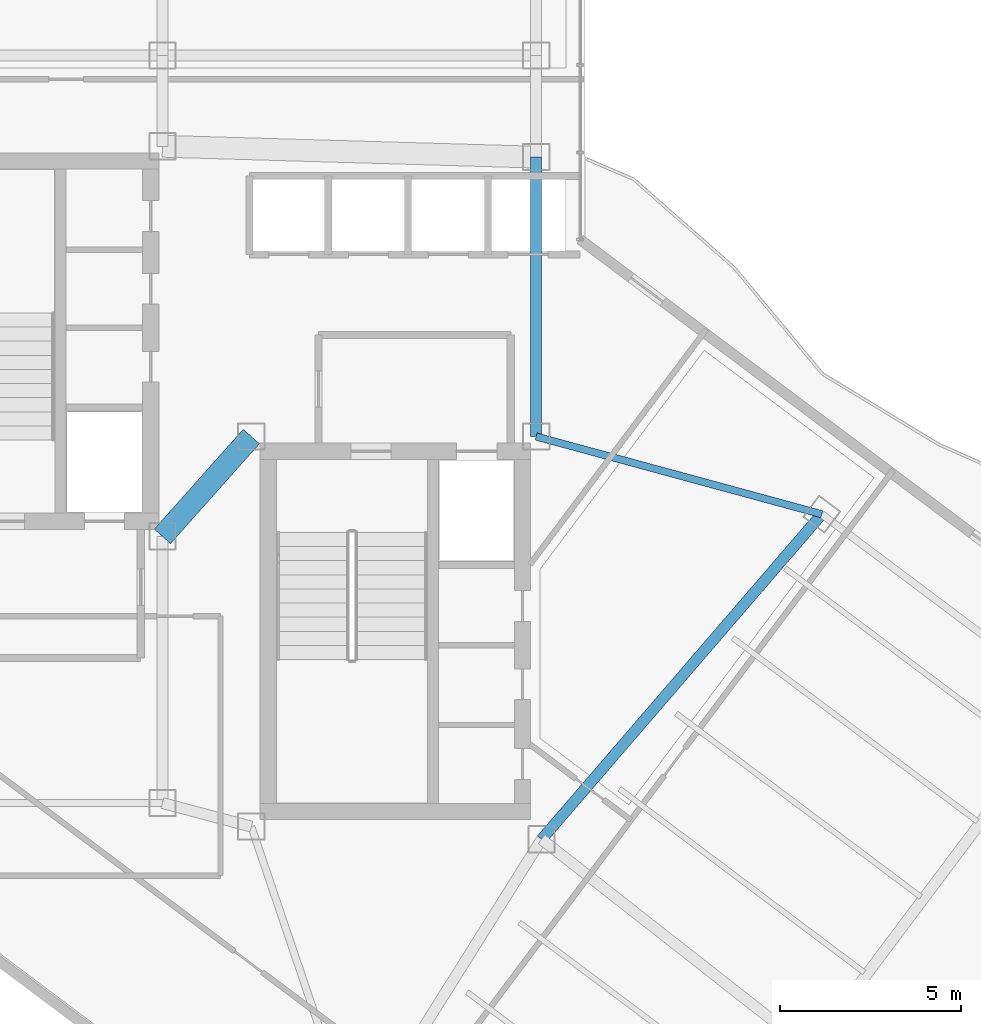
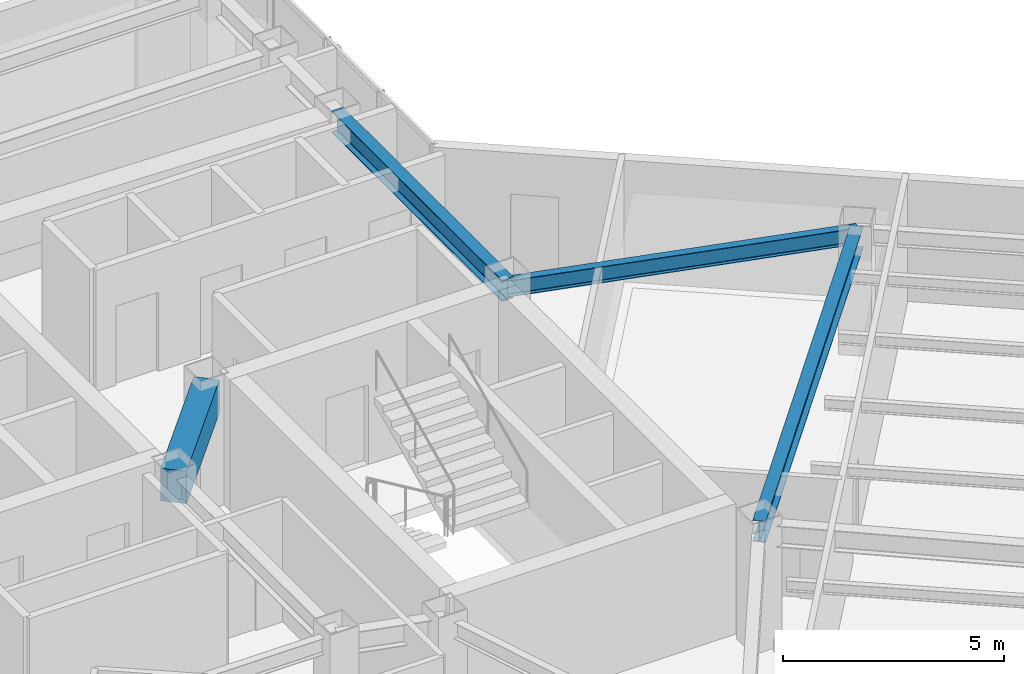
# One storey, part 9 of 25: 4 beams.
"""IFC4 building model written with IfcOpenShell, lengths in metres."""

from ifc_helpers import new_model, si_unit, direction, frame, origin, origin_2d, place, context, subcontext, project, spatial, rectangle, i_section, extrude, material, material_profile, profile_set, type_object, element, save


model = new_model("IFC4")

# Units and contexts
model_context = context("Model", 3, precision=1e-05, world=origin(), true_north=direction((0.0, 1.0)))
body_context = subcontext(model_context, "Body", "Model", "MODEL_VIEW")
ifc_project = project(units=[si_unit("LENGTHUNIT", "METRE"), si_unit("AREAUNIT", "SQUARE_METRE"), si_unit("VOLUMEUNIT", "CUBIC_METRE"), si_unit("PLANEANGLEUNIT", "RADIAN"), si_unit("MASSUNIT", "GRAM", prefix="KILO")], contexts=[model_context])

# Site, building, storey
site_placement = place(None, origin())
site = spatial("IfcSite", under=ifc_project, at=site_placement, CompositionType="ELEMENT")
building_placement = place(site_placement, origin())
building = spatial("IfcBuilding", under=site, at=building_placement, Name="Hatsunagi Terrace Concourse", CompositionType="ELEMENT")
storey_placement = place(building_placement, frame((0.0, 0.0, 205.949951171875)))
storey = spatial("IfcBuildingStorey", under=building, at=storey_placement, Name="L54", CompositionType="ELEMENT", Elevation=205.949951171875)

# Beams
ifc_material_1 = material(Name="Concrete Fc42", Category="concrete")
ifc_material_profile_1 = material_profile(ifc_material_1, rectangle(XDim=0.60009765625, YDim=0.89990234375, at=origin_2d()), Name="RC-600x900")
ifc_profile_set_1 = profile_set([ifc_material_profile_1], Name="Concrete Fc42")
beam_type_1 = type_object("IfcBeamType", Name="CoreCouplingBeam_RC_600x900", PredefinedType="BEAM", material=ifc_profile_set_1)
beam_1_placement = place(storey_placement, frame((33.35009765625, 32.550048828125, 2.900146484375), z_axis=(0.665198651008, 0.746666427997, 0.0), x_axis=(-0.746666427997, 0.665198651008, 0.0)))
element("IfcBeam", 1, at=beam_1_placement, inside=storey, type_object=beam_type_1, Name="Beam CB-03 CB-L54-1", PredefinedType="BEAM", context=body_context, shape_type="SweptSolid", body=[
    extrude(rectangle(XDim=0.60009765625, YDim=0.89990234375, at=origin_2d()), origin(), (0.0, 0.0, 1.0), 3.68310546875),
])
ifc_material_2 = material(Name="Steel SN490B", Category="steel")
ifc_material_profile_2 = material_profile(ifc_material_2, i_section(OverallWidth=0.300048828125, OverallDepth=0.587890625, WebThickness=0.011962890625, FlangeThickness=0.02001953125, FilletRadius=0.01806640625, at=origin_2d()), Name="H-588x300x12x20")
ifc_profile_set_2 = profile_set([ifc_material_profile_2], Name="Steel SN490B")
beam_type_2 = type_object("IfcBeamType", Name="OfficeHighGirder_H_588x300", PredefinedType="BEAM", material=ifc_profile_set_2)
beam_2_placement = place(storey_placement, frame((43.64990234375, 35.300048828125, 3.05615234375), z_axis=(0.0, 1.0, 0.0), x_axis=(-1.0, 0.0, 0.0)))
element("IfcBeam", 2, at=beam_2_placement, inside=storey, type_object=beam_type_2, Name="Beam G-06 BM-L54-CBK3", PredefinedType="BEAM", context=body_context, shape_type="SweptSolid", body=[
    extrude(i_section(OverallWidth=0.300048828125, OverallDepth=0.587890625, WebThickness=0.011962890625, FlangeThickness=0.02001953125, FilletRadius=0.01806640625, at=origin_2d()), origin(), (0.0, 0.0, 1.0), 7.699951171875),
])
beam_3_placement = place(storey_placement, frame((43.800048828125, 24.199951171875, 3.05615234375), z_axis=(0.652739101421, 0.757582777969, 0.0), x_axis=(-0.757582777969, 0.652739101421, 0.0)))
element("IfcBeam", 3, at=beam_3_placement, inside=storey, type_object=beam_type_2, Name="Beam G-06 BM-L54-SET-1B", PredefinedType="BEAM", context=body_context, shape_type="SweptSolid", body=[
    extrude(i_section(OverallWidth=0.300048828125, OverallDepth=0.587890625, WebThickness=0.011962890625, FlangeThickness=0.02001953125, FilletRadius=0.01806640625, at=origin_2d()), origin(), (0.0, 0.0, 1.0), 11.8271484375),
])
ifc_material_3 = material(Name="Steel SN490B", Category="steel")
ifc_material_profile_3 = material_profile(ifc_material_3, i_section(OverallWidth=0.199951171875, OverallDepth=0.449951171875, WebThickness=0.009033203125, FlangeThickness=0.013916015625, FilletRadius=0.01611328125, at=origin_2d()), Name="H-450x200x9x14")
ifc_profile_set_3 = profile_set([ifc_material_profile_3], Name="Steel SN490B")
beam_type_3 = type_object("IfcBeamType", Name="PerimeterSpandrel_H_450x200", PredefinedType="SPANDREL", material=ifc_profile_set_3)
beam_4_placement = place(storey_placement, frame((43.64990234375, 35.300048828125, 3.125), z_axis=(0.964958359286, -0.262403057994, 0.0), x_axis=(0.262403057994, 0.964958359286, 0.0)))
element("IfcBeam", 4, at=beam_4_placement, inside=storey, type_object=beam_type_3, Name="Beam SP-02 BM-L54-SE-NE0", PredefinedType="SPANDREL", context=body_context, shape_type="SweptSolid", body=[
    extrude(i_section(OverallWidth=0.199951171875, OverallDepth=0.449951171875, WebThickness=0.009033203125, FlangeThickness=0.013916015625, FilletRadius=0.01611328125, at=origin_2d()), origin(), (0.0, 0.0, 1.0), 8.156005859375),
])

save(model, "model.ifc")
